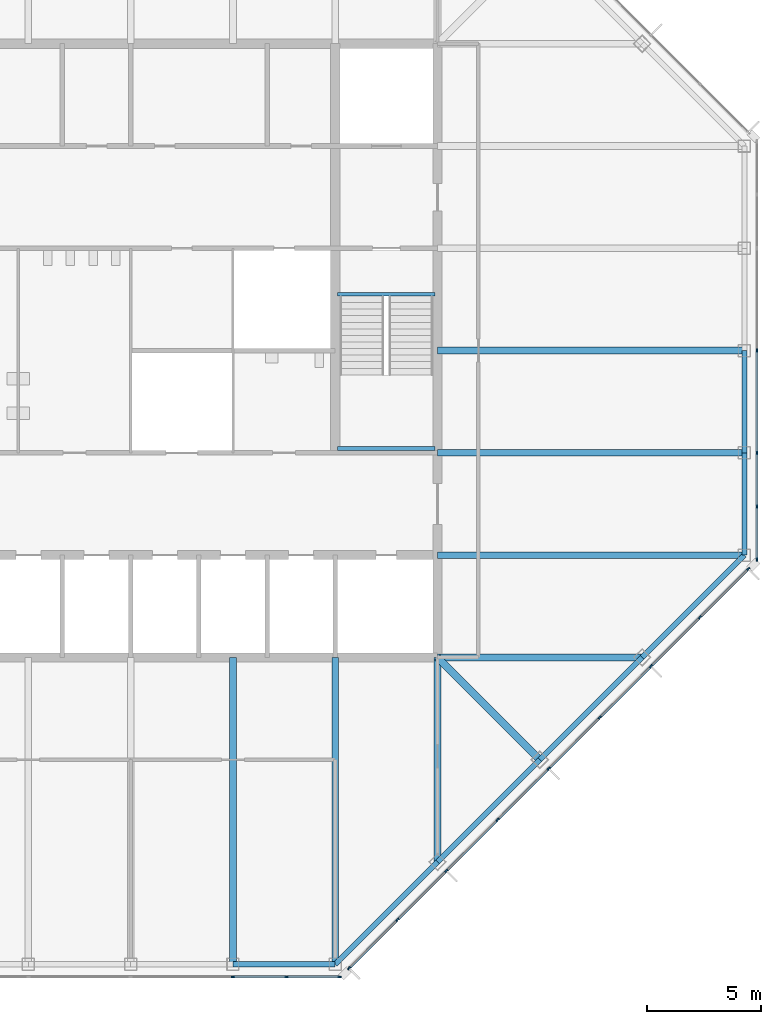
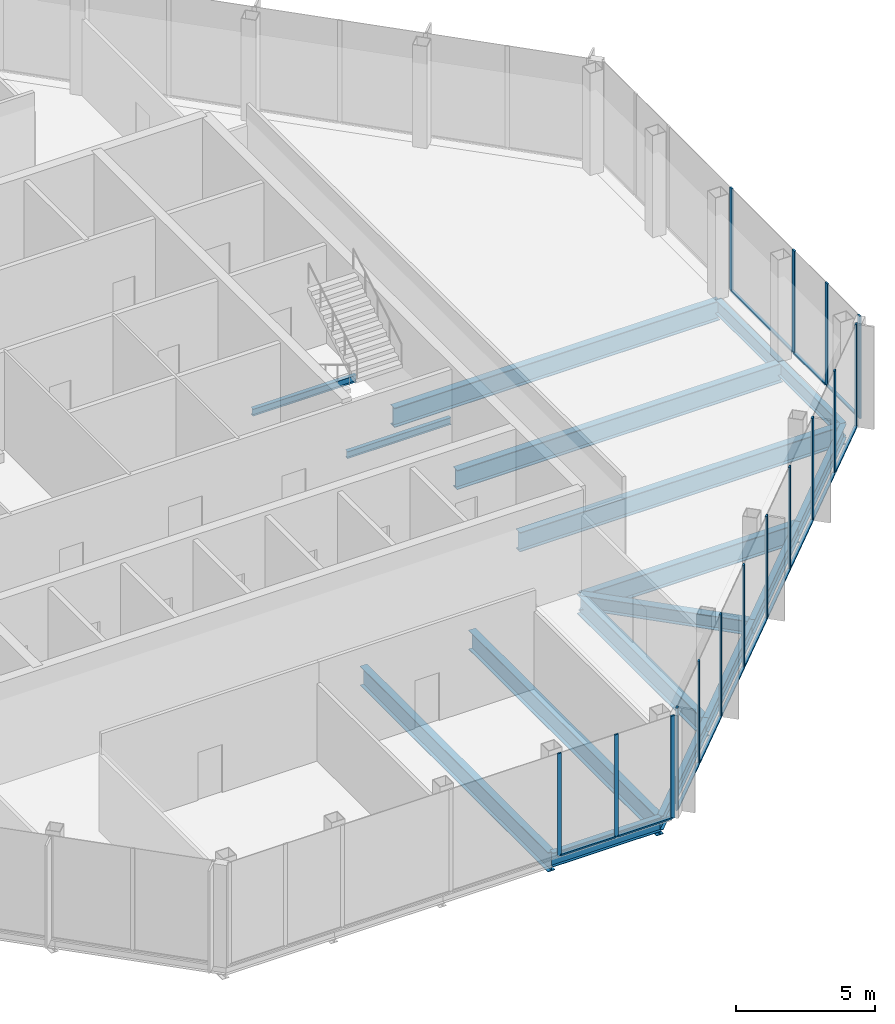
# One storey, part 4 of 13: 29 members, 17 beams, 3 elements without a shape of their own.
"""IFC4 building model written with IfcOpenShell, lengths in metres."""

import ifcopenshell
import ifcopenshell.guid

model = None  # the IFC model being written
_history = None  # IfcOwnerHistory: only IFC2X3 demands one
_inside = {}  # id of a spatial element -> (the spatial element, [elements in it])
_under = {}  # id of a project, library or spatial element -> (it, [spatial elements below it])
_declared = {}  # id of a project -> (the project, [libraries it declares])
_typed = {}  # id of a type object -> (the type object, [elements of that type])
_made_of = {}  # id of a material, layer set ... -> (it, [elements and type objects made of it])


def new_model(schema):
    """Start an empty IFC model of exactly this schema.

    Asked for "IFC4X3", IfcOpenShell would pick the latest addendum, in which some entities
    have other attributes; the version numbers below select the first issue.
    IFC2X3 requires an IfcOwnerHistory on every rooted entity: one is made here for all.
    """
    global model, _history
    if schema == "IFC4X3":
        model = ifcopenshell.file(schema_version=(4, 3, 0, 0))
    else:
        model = ifcopenshell.file(schema=schema)
    _inside.clear()
    _under.clear()
    _declared.clear()
    _typed.clear()
    _made_of.clear()
    _history = None
    if model.schema == "IFC2X3":
        org = make("IfcOrganization", Name="unknown")
        user = make(
            "IfcPersonAndOrganization",
            ThePerson=make("IfcPerson", FamilyName="unknown"),
            TheOrganization=org,
        )
        app = make(
            "IfcApplication",
            ApplicationDeveloper=org,
            Version="unknown",
            ApplicationFullName="unknown",
            ApplicationIdentifier="unknown",
        )
        _history = make(
            "IfcOwnerHistory",
            OwningUser=user,
            OwningApplication=app,
            ChangeAction="ADDED",
            CreationDate=0,
        )
    return model


def make(cls, **values):
    """One entity of the class cls with the attributes given. An attribute that is None is left unset."""
    return model.create_entity(
        cls, **{name: value for name, value in values.items() if value is not None}
    )


def rooted(cls, **values):
    """An entity with a GlobalId (a new one), such as an element, a storey or a relation."""
    return make(cls, GlobalId=ifcopenshell.guid.new(), OwnerHistory=_history, **values)


def si_unit(unit_type, name, prefix=None):
    """IfcSIUnit, for example si_unit("LENGTHUNIT", "METRE", prefix="MILLI")."""
    return make("IfcSIUnit", UnitType=unit_type, Prefix=prefix, Name=name)


def assignment(units):
    """IfcUnitAssignment: the units of a project."""
    return None if units is None else make("IfcUnitAssignment", Units=units)


def point(xyz):
    """IfcCartesianPoint."""
    return None if xyz is None else make("IfcCartesianPoint", Coordinates=xyz)


def direction(xyz):
    """IfcDirection."""
    return None if xyz is None else make("IfcDirection", DirectionRatios=xyz)


def frame(location, z_axis=None, x_axis=None):
    """IfcAxis2Placement3D, a coordinate frame: its origin and axes. An axis left out is left unset."""
    return make(
        "IfcAxis2Placement3D",
        Location=point(location),
        Axis=direction(z_axis),
        RefDirection=direction(x_axis),
    )


def frame_2d(location, x_axis=None):
    """IfcAxis2Placement2D, a coordinate frame in the plane: its origin and x axis."""
    return make(
        "IfcAxis2Placement2D", Location=point(location), RefDirection=direction(x_axis)
    )


def origin():
    """The frame at (0, 0, 0) with its axes left unset."""
    return frame((0.0, 0.0, 0.0))


def origin_2d():
    """The frame at (0, 0) in the plane with its x axis left unset."""
    return frame_2d((0.0, 0.0))


def place(relative_to, where):
    """IfcLocalPlacement: puts the frame where relative to a parent placement (None: the world)."""
    return make(
        "IfcLocalPlacement", PlacementRelTo=relative_to, RelativePlacement=where
    )


def context(
    kind, dimensions, precision=None, world=None, true_north=None, identifier=None
):
    """IfcGeometricRepresentationContext, for example the 3D "Model" context."""
    return make(
        "IfcGeometricRepresentationContext",
        ContextIdentifier=identifier,
        ContextType=kind,
        CoordinateSpaceDimension=dimensions,
        Precision=precision,
        WorldCoordinateSystem=world,
        TrueNorth=true_north,
    )


def subcontext(parent, identifier, kind, view, scale=None):
    """IfcGeometricRepresentationSubContext, for example "Body" below "Model"."""
    return make(
        "IfcGeometricRepresentationSubContext",
        ContextIdentifier=identifier,
        ContextType=kind,
        ParentContext=parent,
        TargetScale=scale,
        TargetView=view,
    )


def project(units=None, contexts=None):
    """IfcProject with its units and contexts."""
    return rooted(
        "IfcProject",
        Name="project",
        RepresentationContexts=contexts,
        UnitsInContext=assignment(units),
    )


def spatial(cls, under=None, at=None, **own):
    """A site, building, storey or space (cls), placed at a placement, below another one or the project."""
    s = rooted(cls, ObjectPlacement=at, **own)
    if under is not None:
        _under.setdefault(under.id(), (under, []))[1].append(s)
    return s


def profile(cls, at=None, kind="AREA", **sizes):
    """A parametric profile (cls). Its sizes go by their IFC names, for example OverallWidth=200.0."""
    return make(cls, ProfileType=kind, Position=at, **sizes)


def rectangle(**sizes):
    """IfcRectangleProfileDef."""
    return profile("IfcRectangleProfileDef", **sizes)


def i_section(**sizes):
    """IfcIShapeProfileDef."""
    return profile("IfcIShapeProfileDef", **sizes)


def extrude(swept, where, along, depth):
    """IfcExtrudedAreaSolid: the profile swept, set in the frame where, extruded along a direction by depth."""
    return make(
        "IfcExtrudedAreaSolid",
        SweptArea=swept,
        Position=where,
        ExtrudedDirection=direction(along),
        Depth=depth,
    )


def shape(context_of_items, identifier, shape_type, items):
    """IfcShapeRepresentation: the items that make up one representation, for example the "Body"."""
    return make(
        "IfcShapeRepresentation",
        ContextOfItems=context_of_items,
        RepresentationIdentifier=identifier,
        RepresentationType=shape_type,
        Items=items,
    )


def material(Name=None, Category=None):
    """IfcMaterial."""
    return make("IfcMaterial", Name=Name, Category=Category)


def material_profile(
    of_material, cross_section, Name=None, Category=None, Priority=None
):
    """IfcMaterialProfile: a cross section and its material."""
    return make(
        "IfcMaterialProfile",
        Name=Name,
        Material=of_material,
        Profile=cross_section,
        Priority=Priority,
        Category=Category,
    )


def profile_set(profiles, Name=None, composite=None):
    """IfcMaterialProfileSet."""
    return make(
        "IfcMaterialProfileSet",
        Name=Name,
        MaterialProfiles=profiles,
        CompositeProfile=composite,
    )


def made_of(thing, what):
    """Note that an element or type object is made of a material, layer set ...; save() writes the relation."""
    if what is not None:
        _made_of.setdefault(what.id(), (what, []))[1].append(thing)
    return thing


def type_object(cls, material=None, **own):
    """A type object (cls), such as IfcWallType, which elements share."""
    return made_of(rooted(cls, **own), material)


def element(
    cls,
    number,
    at=None,
    inside=None,
    cuts=None,
    type_object=None,
    material=None,
    context=None,
    identifier="Body",
    shape_type=None,
    held_by="IfcProductDefinitionShape",
    body=None,
    shapes=None,
    **own,
):
    """One element of the class cls, such as IfcWall. Its Tag is "e" and its number.

    at: its placement. inside: the storey or other place that contains it. cuts: it is an
    opening in that element (IfcRelVoidsElement). A single representation is given by context,
    identifier, shape_type and body (its items); several are given by shapes. held_by: the class
    of the entity that holds the representations. save() writes the other relations.
    """
    e = rooted(cls, Tag="e%d" % number, ObjectPlacement=at, **own)
    if body is not None:
        shapes = [shape(context, identifier, shape_type, body)]
    if shapes is not None:
        e.Representation = make(held_by, Representations=shapes)
    if inside is not None:
        _inside.setdefault(inside.id(), (inside, []))[1].append(e)
    if cuts is not None:
        rooted(
            "IfcRelVoidsElement", RelatingBuildingElement=cuts, RelatedOpeningElement=e
        )
    if type_object is not None:
        _typed.setdefault(type_object.id(), (type_object, []))[1].append(e)
    return made_of(e, material)


def aggregate(whole, parts):
    """IfcRelAggregates: a whole, such as a stair, and the parts it consists of."""
    return rooted("IfcRelAggregates", RelatingObject=whole, RelatedObjects=parts)


def save(model, path):
    """Write the relations noted so far, then the file.

    IfcRelAggregates (storeys below a building ...), IfcRelContainedInSpatialStructure (elements
    in a storey), IfcRelDefinesByType, IfcRelAssociatesMaterial and IfcRelDeclares: one each for
    every whole, place, type object, material and project.
    """
    for whole, parts in _under.values():
        aggregate(whole, parts)
    for where, things in _inside.values():
        rooted(
            "IfcRelContainedInSpatialStructure",
            RelatedElements=things,
            RelatingStructure=where,
        )
    for kind, things in _typed.values():
        rooted("IfcRelDefinesByType", RelatedObjects=things, RelatingType=kind)
    for what, things in _made_of.values():
        rooted("IfcRelAssociatesMaterial", RelatedObjects=things, RelatingMaterial=what)
    for by, libraries in _declared.values():
        rooted("IfcRelDeclares", RelatingContext=by, RelatedDefinitions=libraries)
    model.write(path)


model = new_model("IFC4")

# Units and contexts
model_context = context("Model", 3, precision=1e-05, world=origin(), true_north=direction((0.0, 1.0)))
body_context = subcontext(model_context, "Body", "Model", "MODEL_VIEW")
ifc_project = project(units=[si_unit("LENGTHUNIT", "METRE"), si_unit("AREAUNIT", "SQUARE_METRE"), si_unit("VOLUMEUNIT", "CUBIC_METRE"), si_unit("PLANEANGLEUNIT", "RADIAN"), si_unit("MASSUNIT", "GRAM", prefix="KILO")], contexts=[model_context])

# Site, building, storey
site_placement = place(None, origin())
site = spatial("IfcSite", under=ifc_project, at=site_placement, CompositionType="ELEMENT")
building_placement = place(site_placement, origin())
building = spatial("IfcBuilding", under=site, at=building_placement, Name="Corais Broadcast Tower", CompositionType="ELEMENT")
storey_placement = place(building_placement, frame((0.0, 0.0, 310.60009765625)))
storey = spatial("IfcBuildingStorey", under=building, at=storey_placement, Name="L73", CompositionType="ELEMENT", Elevation=310.60009765625)

# Beams
ifc_material_1 = material(Name="Steel ASTM A572 Grade 50", Category="steel")
ifc_material_profile_1 = material_profile(ifc_material_1, i_section(OverallWidth=0.323974609375, OverallDepth=0.611083984375, WebThickness=0.0126953125, FlangeThickness=0.01904296875, at=origin_2d()), Name="W610x155")
ifc_profile_set_1 = profile_set([ifc_material_profile_1], Name="Steel ASTM A572 Grade 50")
beam_type_1 = type_object("IfcBeamType", Name="Corner diagonal W610x155", PredefinedType="BEAM", material=ifc_profile_set_1)
beam_1_placement = place(storey_placement, frame((45.0, 9.0, -0.465576171875), z_axis=(-0.707106781187, 0.707106781187, 0.0), x_axis=(-0.707106781187, -0.707106781187, 0.0)))
element("IfcBeam", 1, at=beam_1_placement, inside=storey, type_object=beam_type_1, Name="B6 C/13 to D/12", PredefinedType="BEAM", context=body_context, shape_type="SweptSolid", body=[
    extrude(i_section(OverallWidth=0.323974609375, OverallDepth=0.611083984375, WebThickness=0.0126953125, FlangeThickness=0.01904296875, at=origin_2d()), origin(), (0.0, 0.0, 1.0), 6.364013671875),
])
ifc_material_2 = material(Name="Steel ASTM A572 Grade 50", Category="steel")
ifc_material_profile_2 = material_profile(ifc_material_2, i_section(OverallWidth=0.2939453125, OverallDepth=0.85107421875, WebThickness=0.01611328125, FlangeThickness=0.02685546875, at=origin_2d()), Name="W840x226")
ifc_profile_set_2 = profile_set([ifc_material_profile_2], Name="Steel ASTM A572 Grade 50")
beam_type_2 = type_object("IfcBeamType", Name="Floor beam W840x226", PredefinedType="BEAM", material=ifc_profile_set_2)
for number, where, z_axis, x_axis, name in (
    (2, (31.5, 0.0, -0.585693359375), (0.0, 1.0, 0.0), (-1.0, 0.0, 0.0), "B1 A/10 to D/10"),
    (3, (36.0, 0.0, -0.585693359375), (0.0, 1.0, 0.0), (-1.0, 0.0, 0.0), "B1 A/11 to D/11"),
):
    element("IfcBeam", number, at=place(storey_placement, frame(where, z_axis=z_axis, x_axis=x_axis)), inside=storey, type_object=beam_type_2, Name=name, PredefinedType="BEAM", context=body_context, shape_type="SweptSolid", body=[
        extrude(i_section(OverallWidth=0.2939453125, OverallDepth=0.85107421875, WebThickness=0.01611328125, FlangeThickness=0.02685546875, at=origin_2d()), origin(), (0.0, 0.0, 1.0), 13.5),
    ])
for number, where, z_axis, x_axis, name in (
    (4, (40.5, 4.5, -0.585693359375), (0.0, 1.0, 0.0), (-1.0, 0.0, 0.0), "B1 B/12 to D/12"),
    (5, (49.5, 13.5, -0.585693359375), (-1.0, 0.0, 0.0), (0.0, -1.0, 0.0), "B1 D/14 to D/12"),
):
    element("IfcBeam", number, at=place(storey_placement, frame(where, z_axis=z_axis, x_axis=x_axis)), inside=storey, type_object=beam_type_2, Name=name, PredefinedType="BEAM", context=body_context, shape_type="SweptSolid", body=[
        extrude(i_section(OverallWidth=0.2939453125, OverallDepth=0.85107421875, WebThickness=0.01611328125, FlangeThickness=0.02685546875, at=origin_2d()), origin(), (0.0, 0.0, 1.0), 9.0),
    ])
for number, where, z_axis, x_axis, name in (
    (6, (54.0, 18.0, -0.585693359375), (-1.0, 0.0, 0.0), (0.0, -1.0, 0.0), "B1 E/15 to E/12"),
    (7, (54.0, 22.5, -0.585693359375), (-1.0, 0.0, 0.0), (0.0, -1.0, 0.0), "B1 F/15 to F/12"),
    (8, (54.0, 27.0, -0.585693359375), (-1.0, 0.0, 0.0), (0.0, -1.0, 0.0), "B1 G/15 to G/12"),
):
    element("IfcBeam", number, at=place(storey_placement, frame(where, z_axis=z_axis, x_axis=x_axis)), inside=storey, type_object=beam_type_2, Name=name, PredefinedType="BEAM", context=body_context, shape_type="SweptSolid", body=[
        extrude(i_section(OverallWidth=0.2939453125, OverallDepth=0.85107421875, WebThickness=0.01611328125, FlangeThickness=0.02685546875, at=origin_2d()), origin(), (0.0, 0.0, 1.0), 13.5),
    ])
ifc_material_3 = material(Name="Steel ASTM A572 Grade 50", Category="steel")
ifc_material_profile_3 = material_profile(ifc_material_3, i_section(OverallWidth=0.1650390625, OverallDepth=0.31005859375, WebThickness=0.005859375, FlangeThickness=0.009765625, at=origin_2d()), Name="W310x38.7")
ifc_profile_set_3 = profile_set([ifc_material_profile_3], Name="Steel ASTM A572 Grade 50")
beam_type_3 = type_object("IfcBeamType", Name="Landing trimmer W310x38.7", PredefinedType="BEAM", material=ifc_profile_set_3)
for number, where, z_axis, x_axis, name in (
    (9, (36.10009765625, 29.47509765625, -0.35498046875), (1.0, 0.0, 0.0), (0.0, 1.0, 0.0), "LT1 stair B landing trimmer L73"),
    (10, (36.10009765625, 22.68994140625, 1.89501953125), (1.0, 0.0, 0.0), (0.0, 1.0, 0.0), "LT1 stair B half landing trimmer L73"),
):
    element("IfcBeam", number, at=place(storey_placement, frame(where, z_axis=z_axis, x_axis=x_axis)), inside=storey, type_object=beam_type_3, Name=name, PredefinedType="BEAM", context=body_context, shape_type="SweptSolid", body=[
        extrude(i_section(OverallWidth=0.1650390625, OverallDepth=0.31005859375, WebThickness=0.005859375, FlangeThickness=0.009765625, at=origin_2d()), origin(), (0.0, 0.0, 1.0), 4.2998046875),
    ])

# Curtain wall, members
ifc_material_4 = material(Name="Aluminium and glass", Category="aluminium")
curtain_wall_type = type_object("IfcCurtainWallType", Name="Unitised fritted curtain wall CW3", PredefinedType="NOTDEFINED", material=ifc_material_4)
curtain_wall_1_placement = place(storey_placement, origin())
curtain_wall_1 = element("IfcCurtainWall", 11, at=curtain_wall_1_placement, inside=storey, type_object=curtain_wall_type, Name="CW3 curtain wall L73 6", PredefinedType="NOTDEFINED")
ifc_material_5 = material(Name="Aluminium 6063-T6", Category="aluminium")
ifc_material_profile_4 = material_profile(ifc_material_5, rectangle(XDim=0.06494140625, YDim=0.159912109375, at=origin_2d()), Name="Mullion CW3 65x160")
ifc_profile_set_4 = profile_set([ifc_material_profile_4], Name="Aluminium 6063-T6")
member_type_1 = type_object("IfcMemberType", Name="Mullion CW3 65x160", PredefinedType="MULLION", material=ifc_profile_set_4)
member_1_placement = place(storey_placement, frame((54.550048828125, 27.0, 0.0), z_axis=(0.0, 0.0, 1.0), x_axis=(1.0, 0.0, 0.0)))
member_1 = element("IfcMember", 12, at=member_1_placement, type_object=member_type_1, Name="CW3 mullion 4", PredefinedType="MULLION", context=body_context, shape_type="SweptSolid", body=[
    extrude(rectangle(XDim=0.06494140625, YDim=0.159912109375, at=origin_2d()), origin(), (0.0, 0.0, 1.0), 4.5),
])
member_2_placement = place(storey_placement, frame((54.550048828125, 22.5, 0.0), z_axis=(0.0, 0.0, 1.0), x_axis=(1.0, 0.0, 0.0)))
member_2 = element("IfcMember", 13, at=member_2_placement, type_object=member_type_1, Name="CW3 mullion 5", PredefinedType="MULLION", context=body_context, shape_type="SweptSolid", body=[
    extrude(rectangle(XDim=0.06494140625, YDim=0.159912109375, at=origin_2d()), origin(), (0.0, 0.0, 1.0), 4.5),
])
member_3_placement = place(storey_placement, frame((54.550048828125, 20.135986328125, 0.0), z_axis=(0.0, 0.0, 1.0), x_axis=(1.0, 0.0, 0.0)))
member_3 = element("IfcMember", 14, at=member_3_placement, type_object=member_type_1, Name="CW3 mullion 6", PredefinedType="MULLION", context=body_context, shape_type="SweptSolid", body=[
    extrude(rectangle(XDim=0.06494140625, YDim=0.159912109375, at=origin_2d()), origin(), (0.0, 0.0, 1.0), 4.5),
])
member_4_placement = place(storey_placement, frame((54.550048828125, 17.8046875, 0.0), z_axis=(0.0, 0.0, 1.0), x_axis=(1.0, 0.0, 0.0)))
member_4 = element("IfcMember", 15, at=member_4_placement, type_object=member_type_1, Name="CW3 mullion 7", PredefinedType="MULLION", context=body_context, shape_type="SweptSolid", body=[
    extrude(rectangle(XDim=0.06494140625, YDim=0.159912109375, at=origin_2d()), origin(), (0.0, 0.0, 1.0), 4.5),
])

curtain_wall_2_placement = place(storey_placement, origin())
curtain_wall_2 = element("IfcCurtainWall", 16, at=curtain_wall_2_placement, inside=storey, type_object=curtain_wall_type, Name="CW3 curtain wall L73 7", PredefinedType="NOTDEFINED")
member_5_placement = place(storey_placement, frame((54.17333984375, 17.3955078125, 0.0), z_axis=(0.0, 0.0, 1.0), x_axis=(0.707106781187, -0.707106781187, 0.0)))
member_5 = element("IfcMember", 17, at=member_5_placement, type_object=member_type_1, Name="CW3 mullion 1", PredefinedType="MULLION", context=body_context, shape_type="SweptSolid", body=[
    extrude(rectangle(XDim=0.06494140625, YDim=0.159912109375, at=origin_2d()), origin(), (0.0, 0.0, 1.0), 4.5),
])
member_6_placement = place(storey_placement, frame((52.042724609375, 15.264892578125, 0.0), z_axis=(0.0, 0.0, 1.0), x_axis=(0.707106781187, -0.707106781187, 0.0)))
member_6 = element("IfcMember", 18, at=member_6_placement, type_object=member_type_1, Name="CW3 mullion 2", PredefinedType="MULLION", context=body_context, shape_type="SweptSolid", body=[
    extrude(rectangle(XDim=0.06494140625, YDim=0.159912109375, at=origin_2d()), origin(), (0.0, 0.0, 1.0), 4.5),
])
member_7_placement = place(storey_placement, frame((49.888916015625, 13.111083984375, 0.0), z_axis=(0.0, 0.0, 1.0), x_axis=(0.707106781187, -0.707106781187, 0.0)))
member_7 = element("IfcMember", 19, at=member_7_placement, type_object=member_type_1, Name="CW3 mullion 3", PredefinedType="MULLION", context=body_context, shape_type="SweptSolid", body=[
    extrude(rectangle(XDim=0.06494140625, YDim=0.159912109375, at=origin_2d()), origin(), (0.0, 0.0, 1.0), 4.5),
])
member_8_placement = place(storey_placement, frame((47.638916015625, 10.861083984375, 0.0), z_axis=(0.0, 0.0, 1.0), x_axis=(0.707106781187, -0.707106781187, 0.0)))
member_8 = element("IfcMember", 20, at=member_8_placement, type_object=member_type_1, Name="CW3 mullion 4", PredefinedType="MULLION", context=body_context, shape_type="SweptSolid", body=[
    extrude(rectangle(XDim=0.06494140625, YDim=0.159912109375, at=origin_2d()), origin(), (0.0, 0.0, 1.0), 4.5),
])
member_9_placement = place(storey_placement, frame((45.388916015625, 8.611083984375, 0.0), z_axis=(0.0, 0.0, 1.0), x_axis=(0.707106781187, -0.707106781187, 0.0)))
member_9 = element("IfcMember", 21, at=member_9_placement, type_object=member_type_1, Name="CW3 mullion 5", PredefinedType="MULLION", context=body_context, shape_type="SweptSolid", body=[
    extrude(rectangle(XDim=0.06494140625, YDim=0.159912109375, at=origin_2d()), origin(), (0.0, 0.0, 1.0), 4.5),
])
member_10_placement = place(storey_placement, frame((43.138916015625, 6.361083984375, 0.0), z_axis=(0.0, 0.0, 1.0), x_axis=(0.707106781187, -0.707106781187, 0.0)))
member_10 = element("IfcMember", 22, at=member_10_placement, type_object=member_type_1, Name="CW3 mullion 6", PredefinedType="MULLION", context=body_context, shape_type="SweptSolid", body=[
    extrude(rectangle(XDim=0.06494140625, YDim=0.159912109375, at=origin_2d()), origin(), (0.0, 0.0, 1.0), 4.5),
])
member_11_placement = place(storey_placement, frame((40.888916015625, 4.111083984375, 0.0), z_axis=(0.0, 0.0, 1.0), x_axis=(0.707106781187, -0.707106781187, 0.0)))
member_11 = element("IfcMember", 23, at=member_11_placement, type_object=member_type_1, Name="CW3 mullion 7", PredefinedType="MULLION", context=body_context, shape_type="SweptSolid", body=[
    extrude(rectangle(XDim=0.06494140625, YDim=0.159912109375, at=origin_2d()), origin(), (0.0, 0.0, 1.0), 4.5),
])
member_12_placement = place(storey_placement, frame((38.735107421875, 1.957275390625, 0.0), z_axis=(0.0, 0.0, 1.0), x_axis=(0.707106781187, -0.707106781187, 0.0)))
member_12 = element("IfcMember", 24, at=member_12_placement, type_object=member_type_1, Name="CW3 mullion 8", PredefinedType="MULLION", context=body_context, shape_type="SweptSolid", body=[
    extrude(rectangle(XDim=0.06494140625, YDim=0.159912109375, at=origin_2d()), origin(), (0.0, 0.0, 1.0), 4.5),
])
member_13_placement = place(storey_placement, frame((36.6044921875, -0.17333984375, 0.0), z_axis=(0.0, 0.0, 1.0), x_axis=(0.707106781187, -0.707106781187, 0.0)))
member_13 = element("IfcMember", 25, at=member_13_placement, type_object=member_type_1, Name="CW3 mullion 9", PredefinedType="MULLION", context=body_context, shape_type="SweptSolid", body=[
    extrude(rectangle(XDim=0.06494140625, YDim=0.159912109375, at=origin_2d()), origin(), (0.0, 0.0, 1.0), 4.5),
])

curtain_wall_3_placement = place(storey_placement, origin())
curtain_wall_3 = element("IfcCurtainWall", 26, at=curtain_wall_3_placement, inside=storey, type_object=curtain_wall_type, Name="CW3 curtain wall L73 8", PredefinedType="NOTDEFINED")
member_14_placement = place(storey_placement, frame((36.1953125, -0.550048828125, 0.0), z_axis=(0.0, 0.0, 1.0), x_axis=(0.0, -1.0, 0.0)))
member_14 = element("IfcMember", 27, at=member_14_placement, type_object=member_type_1, Name="CW3 mullion 1", PredefinedType="MULLION", context=body_context, shape_type="SweptSolid", body=[
    extrude(rectangle(XDim=0.06494140625, YDim=0.159912109375, at=origin_2d()), origin(), (0.0, 0.0, 1.0), 4.5),
])
member_15_placement = place(storey_placement, frame((33.864013671875, -0.550048828125, 0.0), z_axis=(0.0, 0.0, 1.0), x_axis=(0.0, -1.0, 0.0)))
member_15 = element("IfcMember", 28, at=member_15_placement, type_object=member_type_1, Name="CW3 mullion 2", PredefinedType="MULLION", context=body_context, shape_type="SweptSolid", body=[
    extrude(rectangle(XDim=0.06494140625, YDim=0.159912109375, at=origin_2d()), origin(), (0.0, 0.0, 1.0), 4.5),
])
member_16_placement = place(storey_placement, frame((31.5, -0.550048828125, 0.0), z_axis=(0.0, 0.0, 1.0), x_axis=(0.0, -1.0, 0.0)))
member_16 = element("IfcMember", 29, at=member_16_placement, type_object=member_type_1, Name="CW3 mullion 3", PredefinedType="MULLION", context=body_context, shape_type="SweptSolid", body=[
    extrude(rectangle(XDim=0.06494140625, YDim=0.159912109375, at=origin_2d()), origin(), (0.0, 0.0, 1.0), 4.5),
])

# Beams
ifc_material_6 = material(Name="Steel ASTM A572 Grade 50", Category="steel")
ifc_material_profile_5 = material_profile(ifc_material_6, i_section(OverallWidth=0.22998046875, OverallDepth=0.616943359375, WebThickness=0.01318359375, FlangeThickness=0.022216796875, at=origin_2d()), Name="W610x140")
ifc_profile_set_5 = profile_set([ifc_material_profile_5], Name="Steel ASTM A572 Grade 50")
beam_type_4 = type_object("IfcBeamType", Name="Spandrel W610x140", PredefinedType="BEAM", material=ifc_profile_set_5)
beam_2_placement = place(storey_placement, frame((31.5, 0.0, -0.468505859375), z_axis=(1.0, 0.0, 0.0), x_axis=(0.0, 1.0, 0.0)))
element("IfcBeam", 30, at=beam_2_placement, inside=storey, type_object=beam_type_4, Name="SB3 A/10 to A/11", PredefinedType="BEAM", context=body_context, shape_type="SweptSolid", body=[
    extrude(i_section(OverallWidth=0.22998046875, OverallDepth=0.616943359375, WebThickness=0.01318359375, FlangeThickness=0.022216796875, at=origin_2d()), origin(), (0.0, 0.0, 1.0), 4.5),
])
for number, where, z_axis, x_axis, name in (
    (31, (36.0, 0.0, -0.468505859375), (0.707106781187, 0.707106781187, 0.0), (-0.707106781187, 0.707106781187, 0.0), "SB3 A/11 to B/12"),
    (32, (40.5, 4.5, -0.468505859375), (0.707106781187, 0.707106781187, 0.0), (-0.707106781187, 0.707106781187, 0.0), "SB3 B/12 to C/13"),
    (33, (45.0, 9.0, -0.468505859375), (0.707106781187, 0.707106781187, 0.0), (-0.707106781187, 0.707106781187, 0.0), "SB3 C/13 to D/14"),
    (34, (49.5, 13.5, -0.468505859375), (0.707106781187, 0.707106781187, 0.0), (-0.707106781187, 0.707106781187, 0.0), "SB3 D/14 to E/15"),
):
    element("IfcBeam", number, at=place(storey_placement, frame(where, z_axis=z_axis, x_axis=x_axis)), inside=storey, type_object=beam_type_4, Name=name, PredefinedType="BEAM", context=body_context, shape_type="SweptSolid", body=[
        extrude(i_section(OverallWidth=0.22998046875, OverallDepth=0.616943359375, WebThickness=0.01318359375, FlangeThickness=0.022216796875, at=origin_2d()), origin(), (0.0, 0.0, 1.0), 6.364013671875),
    ])
for number, where, z_axis, x_axis, name in (
    (35, (54.0, 18.0, -0.468505859375), (0.0, 1.0, 0.0), (-1.0, 0.0, 0.0), "SB3 E/15 to F/15"),
    (36, (54.0, 22.5, -0.468505859375), (0.0, 1.0, 0.0), (-1.0, 0.0, 0.0), "SB3 F/15 to G/15"),
):
    element("IfcBeam", number, at=place(storey_placement, frame(where, z_axis=z_axis, x_axis=x_axis)), inside=storey, type_object=beam_type_4, Name=name, PredefinedType="BEAM", context=body_context, shape_type="SweptSolid", body=[
        extrude(i_section(OverallWidth=0.22998046875, OverallDepth=0.616943359375, WebThickness=0.01318359375, FlangeThickness=0.022216796875, at=origin_2d()), origin(), (0.0, 0.0, 1.0), 4.5),
    ])

# Member
ifc_material_7 = material(Name="Aluminium 6063-T6", Category="aluminium")
ifc_material_profile_6 = material_profile(ifc_material_7, rectangle(XDim=0.1201171875, YDim=0.06494140625, at=origin_2d()), Name="Transom CW3 65x120")
ifc_profile_set_6 = profile_set([ifc_material_profile_6], Name="Aluminium 6063-T6")
member_type_2 = type_object("IfcMemberType", Name="Transom CW3 65x120", PredefinedType="USERDEFINED", material=ifc_profile_set_6)
member_17_placement = place(storey_placement, frame((54.550048828125, 26.967529296875, 0.032470703125), z_axis=(0.0, -1.0, 0.0), x_axis=(1.0, 0.0, 0.0)))
member_17 = element("IfcMember", 37, at=member_17_placement, type_object=member_type_2, Name="CW3 transom 4.1", ObjectType="TRANSOM", PredefinedType="USERDEFINED", context=body_context, shape_type="SweptSolid", body=[
    extrude(rectangle(XDim=0.1201171875, YDim=0.06494140625, at=origin_2d()), origin(), (0.0, 0.0, 1.0), 4.43505859375),
])

member_18_placement = place(storey_placement, frame((54.550048828125, 22.467529296875, 0.032470703125), z_axis=(0.0, -1.0, 0.0), x_axis=(1.0, 0.0, 0.0)))
member_18 = element("IfcMember", 38, at=member_18_placement, type_object=member_type_2, Name="CW3 transom 5.1", ObjectType="TRANSOM", PredefinedType="USERDEFINED", context=body_context, shape_type="SweptSolid", body=[
    extrude(rectangle(XDim=0.1201171875, YDim=0.06494140625, at=origin_2d()), origin(), (0.0, 0.0, 1.0), 2.298828125),
])

member_19_placement = place(storey_placement, frame((54.550048828125, 20.103515625, 0.032470703125), z_axis=(0.0, -1.0, 0.0), x_axis=(1.0, 0.0, 0.0)))
member_19 = element("IfcMember", 39, at=member_19_placement, type_object=member_type_2, Name="CW3 transom 6.1", ObjectType="TRANSOM", PredefinedType="USERDEFINED", context=body_context, shape_type="SweptSolid", body=[
    extrude(rectangle(XDim=0.1201171875, YDim=0.06494140625, at=origin_2d()), origin(), (0.0, 0.0, 1.0), 2.266357421875),
])

aggregate(curtain_wall_1, [member_1, member_2, member_3, member_4, member_17, member_18, member_19])

member_20_placement = place(storey_placement, frame((54.150390625, 17.37255859375, 0.032470703125), z_axis=(-0.707106781187, -0.707106781187, 0.0), x_axis=(0.707106781187, -0.707106781187, 0.0)))
member_20 = element("IfcMember", 40, at=member_20_placement, type_object=member_type_2, Name="CW3 transom 1.1", ObjectType="TRANSOM", PredefinedType="USERDEFINED", context=body_context, shape_type="SweptSolid", body=[
    extrude(rectangle(XDim=0.1201171875, YDim=0.06494140625, at=origin_2d()), origin(), (0.0, 0.0, 1.0), 2.9482421875),
])

member_21_placement = place(storey_placement, frame((52.019775390625, 15.241943359375, 0.032470703125), z_axis=(-0.707106781187, -0.707106781187, 0.0), x_axis=(0.707106781187, -0.707106781187, 0.0)))
member_21 = element("IfcMember", 41, at=member_21_placement, type_object=member_type_2, Name="CW3 transom 2.1", ObjectType="TRANSOM", PredefinedType="USERDEFINED", context=body_context, shape_type="SweptSolid", body=[
    extrude(rectangle(XDim=0.1201171875, YDim=0.06494140625, at=origin_2d()), origin(), (0.0, 0.0, 1.0), 2.98095703125),
])

member_22_placement = place(storey_placement, frame((49.865966796875, 13.088134765625, 0.032470703125), z_axis=(-0.707106781187, -0.707106781187, 0.0), x_axis=(0.707106781187, -0.707106781187, 0.0)))
member_22 = element("IfcMember", 42, at=member_22_placement, type_object=member_type_2, Name="CW3 transom 3.1", ObjectType="TRANSOM", PredefinedType="USERDEFINED", context=body_context, shape_type="SweptSolid", body=[
    extrude(rectangle(XDim=0.1201171875, YDim=0.06494140625, at=origin_2d()), origin(), (0.0, 0.0, 1.0), 3.1171875),
])

member_23_placement = place(storey_placement, frame((47.615966796875, 10.838134765625, 0.032470703125), z_axis=(-0.707106781187, -0.707106781187, 0.0), x_axis=(0.707106781187, -0.707106781187, 0.0)))
member_23 = element("IfcMember", 43, at=member_23_placement, type_object=member_type_2, Name="CW3 transom 4.1", ObjectType="TRANSOM", PredefinedType="USERDEFINED", context=body_context, shape_type="SweptSolid", body=[
    extrude(rectangle(XDim=0.1201171875, YDim=0.06494140625, at=origin_2d()), origin(), (0.0, 0.0, 1.0), 3.1171875),
])

member_24_placement = place(storey_placement, frame((45.365966796875, 8.588134765625, 0.032470703125), z_axis=(-0.707106781187, -0.707106781187, 0.0), x_axis=(0.707106781187, -0.707106781187, 0.0)))
member_24 = element("IfcMember", 44, at=member_24_placement, type_object=member_type_2, Name="CW3 transom 5.1", ObjectType="TRANSOM", PredefinedType="USERDEFINED", context=body_context, shape_type="SweptSolid", body=[
    extrude(rectangle(XDim=0.1201171875, YDim=0.06494140625, at=origin_2d()), origin(), (0.0, 0.0, 1.0), 3.1171875),
])

member_25_placement = place(storey_placement, frame((43.115966796875, 6.338134765625, 0.032470703125), z_axis=(-0.707106781187, -0.707106781187, 0.0), x_axis=(0.707106781187, -0.707106781187, 0.0)))
member_25 = element("IfcMember", 45, at=member_25_placement, type_object=member_type_2, Name="CW3 transom 6.1", ObjectType="TRANSOM", PredefinedType="USERDEFINED", context=body_context, shape_type="SweptSolid", body=[
    extrude(rectangle(XDim=0.1201171875, YDim=0.06494140625, at=origin_2d()), origin(), (0.0, 0.0, 1.0), 3.1171875),
])

member_26_placement = place(storey_placement, frame((40.865966796875, 4.088134765625, 0.032470703125), z_axis=(-0.70714773134, -0.707065828661, 0.0), x_axis=(0.707065828661, -0.70714773134, 0.0)))
member_26 = element("IfcMember", 46, at=member_26_placement, type_object=member_type_2, Name="CW3 transom 7.1", ObjectType="TRANSOM", PredefinedType="USERDEFINED", context=body_context, shape_type="SweptSolid", body=[
    extrude(rectangle(XDim=0.1201171875, YDim=0.06494140625, at=origin_2d()), origin(), (0.0, 0.0, 1.0), 2.98095703125),
])

member_27_placement = place(storey_placement, frame((38.712158203125, 1.934326171875, 0.032470703125), z_axis=(-0.707106781187, -0.707106781187, 0.0), x_axis=(0.707106781187, -0.707106781187, 0.0)))
member_27 = element("IfcMember", 47, at=member_27_placement, type_object=member_type_2, Name="CW3 transom 8.1", ObjectType="TRANSOM", PredefinedType="USERDEFINED", context=body_context, shape_type="SweptSolid", body=[
    extrude(rectangle(XDim=0.1201171875, YDim=0.06494140625, at=origin_2d()), origin(), (0.0, 0.0, 1.0), 2.9482421875),
])

aggregate(curtain_wall_2, [member_5, member_6, member_7, member_8, member_9, member_10, member_11, member_12, member_13, member_20, member_21, member_22, member_23, member_24, member_25, member_26, member_27])

member_28_placement = place(storey_placement, frame((36.162841796875, -0.550048828125, 0.032470703125), z_axis=(-1.0, 0.0, 0.0), x_axis=(0.0, -1.0, 0.0)))
member_28 = element("IfcMember", 48, at=member_28_placement, type_object=member_type_2, Name="CW3 transom 1.1", ObjectType="TRANSOM", PredefinedType="USERDEFINED", context=body_context, shape_type="SweptSolid", body=[
    extrude(rectangle(XDim=0.1201171875, YDim=0.06494140625, at=origin_2d()), origin(), (0.0, 0.0, 1.0), 2.266357421875),
])

member_29_placement = place(storey_placement, frame((33.831298828125, -0.550048828125, 0.032470703125), z_axis=(-1.0, 0.0, 0.0), x_axis=(0.0, -1.0, 0.0)))
member_29 = element("IfcMember", 49, at=member_29_placement, type_object=member_type_2, Name="CW3 transom 2.1", ObjectType="TRANSOM", PredefinedType="USERDEFINED", context=body_context, shape_type="SweptSolid", body=[
    extrude(rectangle(XDim=0.1201171875, YDim=0.06494140625, at=origin_2d()), origin(), (0.0, 0.0, 1.0), 2.298828125),
])

aggregate(curtain_wall_3, [member_14, member_15, member_16, member_28, member_29])

save(model, "model.ifc")
